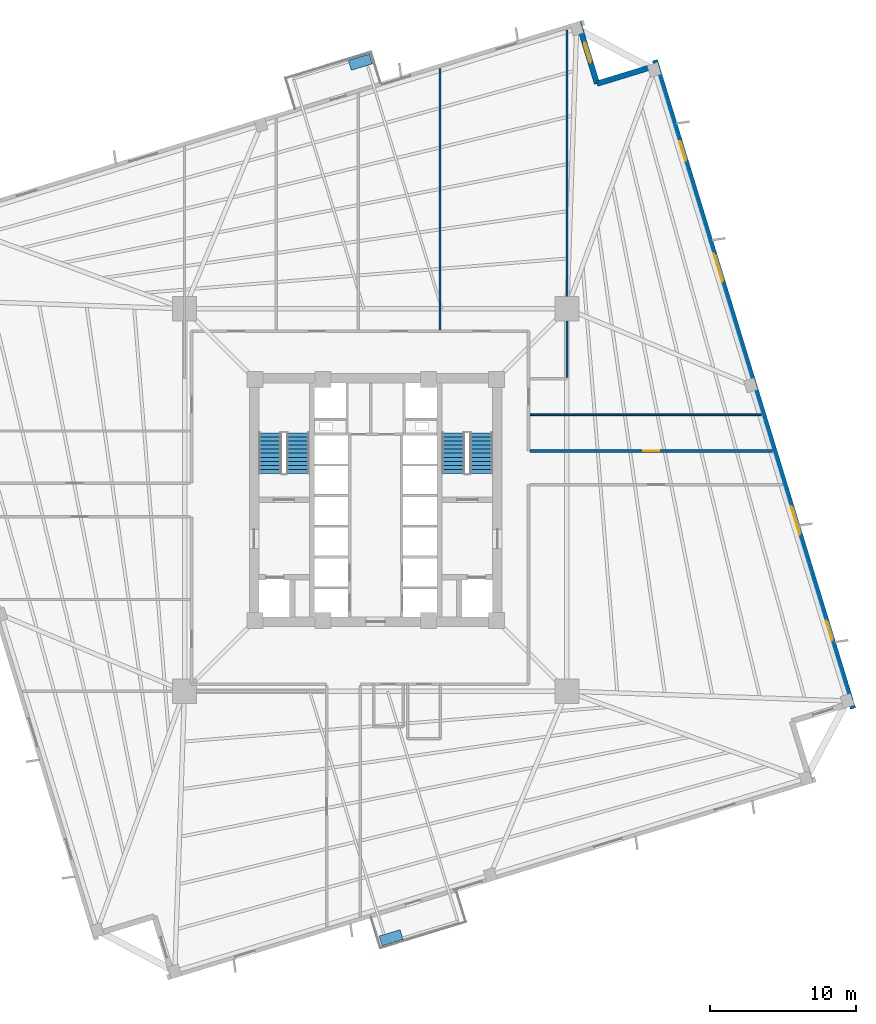
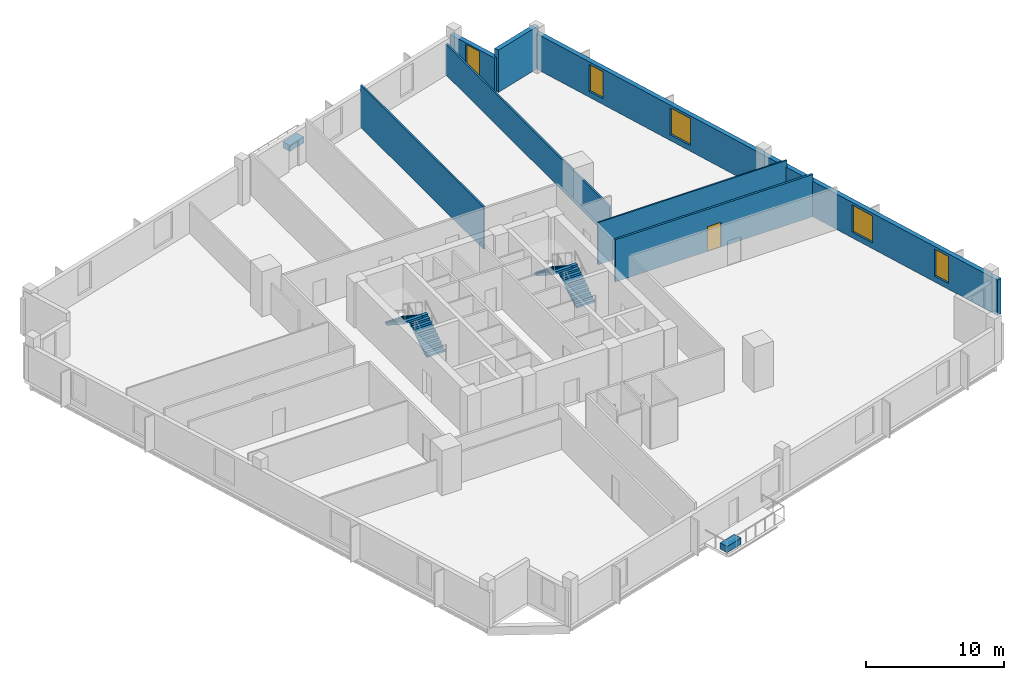
# One storey, part 5 of 8: 7 walls, 5 windows, 4 stair flights, 2 discrete accessories, 1 door, 6 openings, 2 elements without a shape of their own.
"""IFC4 building model written with IfcOpenShell, lengths in metres."""

from ifc_helpers import new_model, si_unit, direction, frame, frame_2d, origin, origin_2d, place, context, subcontext, project, spatial, polyline, rectangle, outline, extrude, source, transform, mapped, material, layer, layer_set, type_object, element, fill, aggregate, save


model = new_model("IFC4")

# Units and contexts
model_context = context("Model", 3, precision=1e-05, world=origin(), true_north=direction((0.0, 1.0)))
body_context = subcontext(model_context, "Body", "Model", "MODEL_VIEW")
ifc_project = project(units=[si_unit("LENGTHUNIT", "METRE"), si_unit("AREAUNIT", "SQUARE_METRE"), si_unit("VOLUMEUNIT", "CUBIC_METRE"), si_unit("PLANEANGLEUNIT", "RADIAN"), si_unit("MASSUNIT", "GRAM", prefix="KILO"), si_unit("THERMODYNAMICTEMPERATUREUNIT", "KELVIN")], contexts=[model_context])

# Site, building, storey
site_placement = place(None, origin())
site = spatial("IfcSite", under=ifc_project, at=site_placement, CompositionType="ELEMENT")
building_placement = place(site_placement, origin())
building = spatial("IfcBuilding", under=site, at=building_placement, Name="Kosmvard Interchange Tower", CompositionType="ELEMENT")
storey_placement = place(building_placement, frame((0.0, 0.0, 91.199951171875)))
storey = spatial("IfcBuildingStorey", under=building, at=storey_placement, Name="L21", CompositionType="ELEMENT", Elevation=91.199951171875)

# Walls
ifc_material_1 = material(Name="Acoustic gypsum partition system")
ifc_layer_1 = layer(ifc_material_1, 0.14990234375, Name="Acoustic gypsum partition system")
ifc_layer_set_1 = layer_set([ifc_layer_1], Name="Acoustic gypsum partition system")
wall_type_1 = type_object("IfcWallType", Name="Acoustic Suite & Meeting Partition 150", PredefinedType="PARTITIONING", material=ifc_layer_set_1)
wall_1_placement = place(storey_placement, frame((4.39990234375, 11.64501953125, 0.0), z_axis=(0.0, 0.0, 1.0), x_axis=(0.0, 1.0, 0.0)))
element("IfcWall", 1, at=wall_1_placement, inside=storey, type_object=wall_type_1, Name="L21 Room Partition 05.1", PredefinedType="PARTITIONING", context=body_context, shape_type="SweptSolid", body=[
    extrude(rectangle(XDim=17.865966796875, YDim=0.14990234375, at=frame_2d((8.93310546875, 0.0))), origin(), (0.0, 0.0, 1.0), 3.739990234375),
])
wall_2_placement = place(storey_placement, frame((13.0810546875, 8.375, 0.0), z_axis=(0.0, 0.0, 1.0), x_axis=(0.0, 1.0, 0.0)))
element("IfcWall", 2, at=wall_2_placement, inside=storey, type_object=wall_type_1, Name="L21 Room Partition 07.1", PredefinedType="PARTITIONING", context=body_context, shape_type="SweptSolid", body=[
    extrude(rectangle(XDim=23.7900390625, YDim=0.14990234375, at=frame_2d((11.89501953125, 0.0))), origin(), (0.0, 0.0, 1.0), 2.73193359375),
])

# Wall, opening, door
ifc_material_2 = material(Name="Fire-rated gypsum partition system")
ifc_layer_2 = layer(ifc_material_2, 0.179931640625, Name="Fire-rated gypsum partition system")
ifc_layer_set_2 = layer_set([ifc_layer_2], Name="Fire-rated gypsum partition system")
wall_type_2 = type_object("IfcWallType", Name="Corridor & Hotel Compartment Partition 180", PredefinedType="PARTITIONING", material=ifc_layer_set_2)
wall_3_placement = place(storey_placement, frame((10.550048828125, 3.35009765625, 0.0), z_axis=(0.0, 0.0, 1.0), x_axis=(1.0, 0.0, 0.0)))
wall_3 = element("IfcWall", 3, at=wall_3_placement, inside=storey, type_object=wall_type_2, Name="L21 Corridor Wall SEN", PredefinedType="PARTITIONING", context=body_context, shape_type="SweptSolid", body=[
    extrude(rectangle(XDim=16.591552734375, YDim=0.179931640625, at=frame_2d((8.2958984375, 0.0))), origin(), (0.0, 0.0, 1.0), 3.739990234375),
])
opening_1_placement = place(wall_3_placement, frame((7.745849609375, 0.0, 0.0)))
opening_1 = element("IfcOpeningElement", 4, at=opening_1_placement, cuts=wall_3, Name="Opening L21-D09", PredefinedType="OPENING", context=body_context, shape_type="SweptSolid", body=[
    extrude(rectangle(XDim=1.10009765625, YDim=2.199951171875, at=frame_2d((0.550048828125, 1.10009765625))), frame((0.0, 0.10009765625, 0.0), z_axis=(0.0, -1.0, 0.0), x_axis=(1.0, 0.0, 0.0)), (0.0, 0.0, 1.0), 0.199951171875),
])
ifc_material_3 = material(Name="Engineered oak fire-rated timber", Category="wood")
door_type = type_object("IfcDoorType", Name="Office Suite Entrance Door 1100x2200 FD30S", OperationType="NOTDEFINED", PredefinedType="DOOR", material=ifc_material_3)
shared_shape_1 = source(origin(), body_context, "Body", "SweptSolid", [
    extrude(rectangle(XDim=1.10009765625, YDim=2.199951171875, at=frame_2d((0.550048828125, 1.10009765625))), frame((0.0, 0.02490234375, 0.0), z_axis=(0.0, -1.0, 0.0), x_axis=(1.0, 0.0, 0.0)), (0.0, 0.0, 1.0), 0.050048828125),
])
door_placement = place(opening_1_placement, origin())
door = element("IfcDoor", 5, at=door_placement, inside=storey, type_object=door_type, Name="L21 Corporate Office 6 Door", OperationType="SINGLE_SWING_LEFT", OverallHeight=2.199951171875, OverallWidth=1.10009765625, PredefinedType="DOOR", context=body_context, shape_type="MappedRepresentation", body=[
    mapped(shared_shape_1, transform((0.0, 0.0, 0.0), scale=1.0)),
])
fill(opening_1, door)

# Wall, openings, windows
ifc_material_4 = material(Name="Precast concrete C45/55", Category="concrete")
ifc_layer_3 = layer(ifc_material_4, 0.3798828125, Name="Precast concrete C45/55")
ifc_layer_set_3 = layer_set([ifc_layer_3], Name="Precast concrete C45/55")
wall_type_3 = type_object("IfcWallType", Name="Lower Tower Precast Pier Wall 380 C45/55", PredefinedType="STANDARD", material=ifc_layer_set_3)
wall_4_placement = place(storey_placement, frame((32.65771484375, -14.26513671875, 0.0), z_axis=(0.0, 0.0, 1.0), x_axis=(-0.292373127906, 0.956304320851, 0.0)))
wall_4 = element("IfcWall", 6, at=wall_4_placement, inside=storey, type_object=wall_type_3, Name="L21 Precast Facade Wall F-E", PredefinedType="STANDARD", context=body_context, shape_type="SweptSolid", body=[
    extrude(rectangle(XDim=46.380126953125, YDim=0.3798828125, at=frame_2d((23.18994140625, 0.0))), origin(), (0.0, 0.0, 1.0), 3.14013671875),
])
opening_2_placement = place(wall_4_placement, frame((4.865478515625, 0.0, 0.510009765625)))
opening_2 = element("IfcOpeningElement", 7, at=opening_2_placement, cuts=wall_4, Name="Opening L21-W05", PredefinedType="OPENING", context=body_context, shape_type="SweptSolid", body=[
    extrude(rectangle(XDim=1.39990234375, YDim=2.39990234375, at=frame_2d((0.699951171875, 1.199951171875))), frame((0.0, 0.199951171875, 0.0), z_axis=(0.0, -1.0, 0.0), x_axis=(1.0, 0.0, 0.0)), (0.0, 0.0, 1.0), 0.39990234375),
])
opening_3_placement = place(wall_4_placement, frame((12.4501953125, 0.0, 0.510009765625)))
opening_3 = element("IfcOpeningElement", 8, at=opening_3_placement, cuts=wall_4, Name="Opening L21-W06", PredefinedType="OPENING", context=body_context, shape_type="SweptSolid", body=[
    extrude(rectangle(XDim=2.0, YDim=2.39990234375, at=frame_2d((1.0, 1.199951171875))), frame((0.0, 0.199951171875, 0.0), z_axis=(0.0, -1.0, 0.0), x_axis=(1.0, 0.0, 0.0)), (0.0, 0.0, 1.0), 0.39990234375),
])
opening_4_placement = place(wall_4_placement, frame((30.538330078125, 0.0, 0.510009765625)))
opening_4 = element("IfcOpeningElement", 9, at=opening_4_placement, cuts=wall_4, Name="Opening L21-W07", PredefinedType="OPENING", context=body_context, shape_type="SweptSolid", body=[
    extrude(rectangle(XDim=2.0, YDim=2.39990234375, at=frame_2d((1.0, 1.199951171875))), frame((0.0, 0.199951171875, 0.0), z_axis=(0.0, -1.0, 0.0), x_axis=(1.0, 0.0, 0.0)), (0.0, 0.0, 1.0), 0.39990234375),
])
opening_5_placement = place(wall_4_placement, frame((39.186767578125, 0.0, 0.510009765625)))
opening_5 = element("IfcOpeningElement", 10, at=opening_5_placement, cuts=wall_4, Name="Opening L21-W08", PredefinedType="OPENING", context=body_context, shape_type="SweptSolid", body=[
    extrude(rectangle(XDim=1.39990234375, YDim=2.39990234375, at=frame_2d((0.699951171875, 1.199951171875))), frame((0.0, 0.199951171875, 0.0), z_axis=(0.0, -1.0, 0.0), x_axis=(1.0, 0.0, 0.0)), (0.0, 0.0, 1.0), 0.39990234375),
])
ifc_material_5 = material(Name="Low-E solar-control double glazing", Category="glass")
window_type_1 = type_object("IfcWindowType", Name="Notched Corner Feature Window 1400x2400", PartitioningType="SINGLE_PANEL", PredefinedType="WINDOW", material=ifc_material_5)
shared_shape_2 = source(origin(), body_context, "Body", "SweptSolid", [
    extrude(rectangle(XDim=1.39990234375, YDim=2.39990234375, at=frame_2d((0.699951171875, 1.199951171875))), frame((0.0, 0.030029296875, 0.0), z_axis=(0.0, -1.0, 0.0), x_axis=(1.0, 0.0, 0.0)), (0.0, 0.0, 1.0), 0.06005859375),
])
window_1_placement = place(opening_2_placement, origin())
window_1 = element("IfcWindow", 11, at=window_1_placement, inside=storey, type_object=window_type_1, Name="L21 Facade Punched Window 05", OverallHeight=2.39990234375, OverallWidth=1.39990234375, PartitioningType="SINGLE_PANEL", PredefinedType="WINDOW", context=body_context, shape_type="MappedRepresentation", body=[
    mapped(shared_shape_2, transform((0.0, 0.0, 0.0), scale=1.0)),
])
fill(opening_2, window_1)
window_2_placement = place(opening_5_placement, origin())
window_2 = element("IfcWindow", 12, at=window_2_placement, inside=storey, type_object=window_type_1, Name="L21 Facade Punched Window 08", OverallHeight=2.39990234375, OverallWidth=1.39990234375, PartitioningType="SINGLE_PANEL", PredefinedType="WINDOW", context=body_context, shape_type="MappedRepresentation", body=[
    mapped(shared_shape_2, transform((0.0, 0.0, 0.0), scale=1.0)),
])
fill(opening_5, window_2)
window_type_2 = type_object("IfcWindowType", Name="Zone 2 Office Punched Window 2000x2400", PartitioningType="SINGLE_PANEL", PredefinedType="WINDOW", material=ifc_material_5)
shared_shape_3 = source(origin(), body_context, "Body", "SweptSolid", [
    extrude(rectangle(XDim=2.0, YDim=2.39990234375, at=frame_2d((1.0, 1.199951171875))), frame((0.0, 0.030029296875, 0.0), z_axis=(0.0, -1.0, 0.0), x_axis=(1.0, 0.0, 0.0)), (0.0, 0.0, 1.0), 0.06005859375),
])
window_3_placement = place(opening_3_placement, origin())
window_3 = element("IfcWindow", 13, at=window_3_placement, inside=storey, type_object=window_type_2, Name="L21 Facade Punched Window 06", OverallHeight=2.39990234375, OverallWidth=2.0, PartitioningType="SINGLE_PANEL", PredefinedType="WINDOW", context=body_context, shape_type="MappedRepresentation", body=[
    mapped(shared_shape_3, transform((0.0, 0.0, 0.0), scale=1.0)),
])
fill(opening_3, window_3)
window_4_placement = place(opening_4_placement, origin())
window_4 = element("IfcWindow", 14, at=window_4_placement, inside=storey, type_object=window_type_2, Name="L21 Facade Punched Window 07", OverallHeight=2.39990234375, OverallWidth=2.0, PartitioningType="SINGLE_PANEL", PredefinedType="WINDOW", context=body_context, shape_type="MappedRepresentation", body=[
    mapped(shared_shape_3, transform((0.0, 0.0, 0.0), scale=1.0)),
])
fill(opening_4, window_4)

# Wall
wall_5_placement = place(storey_placement, frame((19.20849609375, 29.724853515625, 0.0), z_axis=(0.0, 0.0, 1.0), x_axis=(-0.956312764915, -0.292345507338, 0.0)))
element("IfcWall", 15, at=wall_5_placement, inside=storey, type_object=wall_type_3, Name="L21 Precast Facade Wall N-NE1", PredefinedType="STANDARD", context=body_context, shape_type="SweptSolid", body=[
    extrude(rectangle(XDim=4.249755859375, YDim=0.3798828125, at=frame_2d((2.125, 0.0))), origin(), (0.0, 0.0, 1.0), 3.739990234375),
])

# Wall, opening, window
wall_6_placement = place(storey_placement, frame((15.144287109375, 28.482421875, 0.0), z_axis=(0.0, 0.0, 1.0), x_axis=(-0.292373601522, 0.956304176051, 0.0)))
wall_6 = element("IfcWall", 16, at=wall_6_placement, inside=storey, type_object=wall_type_3, Name="L21 Precast Facade Wall N-NE2", PredefinedType="STANDARD", context=body_context, shape_type="SweptSolid", body=[
    extrude(rectangle(XDim=4.43994140625, YDim=0.3798828125, at=frame_2d((2.219970703125, 0.0))), origin(), (0.0, 0.0, 1.0), 3.0400390625),
])
opening_6_placement = place(wall_6_placement, frame((1.52001953125, 0.0, 0.510009765625)))
opening_6 = element("IfcOpeningElement", 17, at=opening_6_placement, cuts=wall_6, Name="Opening L21-W19", PredefinedType="OPENING", context=body_context, shape_type="SweptSolid", body=[
    extrude(rectangle(XDim=1.39990234375, YDim=2.39990234375, at=frame_2d((0.699951171875, 1.199951171875))), frame((0.0, 0.199951171875, 0.0), z_axis=(0.0, -1.0, 0.0), x_axis=(1.0, 0.0, 0.0)), (0.0, 0.0, 1.0), 0.39990234375),
])
window_5_placement = place(opening_6_placement, origin())
window_5 = element("IfcWindow", 18, at=window_5_placement, inside=storey, type_object=window_type_1, Name="L21 Corner Notch Window 19", OverallHeight=2.39990234375, OverallWidth=1.39990234375, PartitioningType="SINGLE_PANEL", PredefinedType="WINDOW", context=body_context, shape_type="MappedRepresentation", body=[
    mapped(shared_shape_2, transform((0.0, 0.0, 0.0), scale=1.0)),
])
fill(opening_6, window_5)

# Wall
ifc_material_6 = material(Name="Gypsum board partition system")
ifc_layer_4 = layer(ifc_material_6, 0.1201171875, Name="Gypsum board partition system")
ifc_layer_set_4 = layer_set([ifc_layer_4], Name="Gypsum board partition system")
wall_type_4 = type_object("IfcWallType", Name="Office Cellular Partition 120", PredefinedType="PARTITIONING", material=ifc_layer_set_4)
wall_7_placement = place(storey_placement, frame((10.544921875, 5.824951171875, 0.0), z_axis=(0.0, 0.0, 1.0), x_axis=(1.0, 0.0, 0.0)))
element("IfcWall", 19, at=wall_7_placement, inside=storey, type_object=wall_type_4, Name="L21 Room Partition 09.1", PredefinedType="PARTITIONING", context=body_context, shape_type="SweptSolid", body=[
    extrude(rectangle(XDim=15.83984375, YDim=0.1201171875, at=frame_2d((7.919921875, 0.0))), origin(), (0.0, 0.0, 1.0), 3.739990234375),
])

# Stair, stair flights
ifc_material_7 = material(Name="Concrete C50/60", Category="concrete")
stair_type = type_object("IfcStairType", Name="Dog-Leg Core Exit Stair H4000 C50/60", PredefinedType="HALF_TURN_STAIR", material=ifc_material_7)
stair_1_placement = place(storey_placement, origin())
stair_1 = element("IfcStair", 20, at=stair_1_placement, inside=storey, type_object=stair_type, Name="L21 Protected Exit Stair ST-1", PredefinedType="HALF_TURN_STAIR")
stair_flight_type = type_object("IfcStairFlightType", Name="Core Stair Flight W1550 H4000 C50/60", PredefinedType="STRAIGHT", material=ifc_material_7)
shared_shape_4 = source(origin(), body_context, "Body", "SweptSolid", [
    extrude(outline(polyline([(0.0, 0.0), (0.0, 0.181884765625), (0.280029296875, 0.181884765625), (0.280029296875, 0.363525390625), (0.56005859375, 0.363525390625), (0.56005859375, 0.54541015625), (0.840087890625, 0.54541015625), (0.840087890625, 0.727294921875), (1.1201171875, 0.727294921875), (1.1201171875, 0.9091796875), (1.39990234375, 0.9091796875), (1.39990234375, 1.0908203125), (1.679931640625, 1.0908203125), (1.679931640625, 1.272705078125), (1.9599609375, 1.272705078125), (1.9599609375, 1.45458984375), (2.239990234375, 1.45458984375), (2.239990234375, 1.636474609375), (2.52001953125, 1.636474609375), (2.52001953125, 1.818115234375), (2.800048828125, 1.818115234375), (2.800048828125, 2.0), (2.800048828125, 1.62744140625), (0.293701171875, 0.0), (0.0, 0.0)])), frame((0.0, 0.77490234375, 0.0), z_axis=(0.0, -1.0, 0.0), x_axis=(1.0, 0.0, 0.0)), (0.0, 0.0, 1.0), 1.550048828125),
])
stair_flight_1_placement = place(storey_placement, frame((-5.31494140625, 1.800048828125, 0.0), z_axis=(0.0, 0.0, 1.0), x_axis=(0.0, 1.0, 0.0)))
stair_flight_1 = element("IfcStairFlight", 21, at=stair_flight_1_placement, type_object=stair_flight_type, Name="ST-1 flight 1", NumberOfRisers=11, NumberOfTreads=10, PredefinedType="STRAIGHT", RiserHeight=0.181818182, TreadLength=0.28, context=body_context, shape_type="MappedRepresentation", body=[
    mapped(shared_shape_4, transform((0.0, 0.0, 0.0), scale=1.0)),
])
stair_flight_2_placement = place(storey_placement, frame((-7.22509765625, 4.60009765625, 2.0), z_axis=(0.0, 0.0, 1.0), x_axis=(0.0, -1.0, 0.0)))
stair_flight_2 = element("IfcStairFlight", 22, at=stair_flight_2_placement, type_object=stair_flight_type, Name="ST-1 flight 2", NumberOfRisers=11, NumberOfTreads=10, PredefinedType="STRAIGHT", RiserHeight=0.181818182, TreadLength=0.28, context=body_context, shape_type="MappedRepresentation", body=[
    mapped(shared_shape_4, transform((0.0, 0.0, 0.0), scale=1.0)),
])
aggregate(stair_1, [stair_flight_1, stair_flight_2])

stair_2_placement = place(storey_placement, origin())
stair_2 = element("IfcStair", 23, at=stair_2_placement, inside=storey, type_object=stair_type, Name="L21 Protected Exit Stair ST-2", PredefinedType="HALF_TURN_STAIR")
stair_flight_3_placement = place(storey_placement, frame((7.22509765625, 1.800048828125, 0.0), z_axis=(0.0, 0.0, 1.0), x_axis=(0.0, 1.0, 0.0)))
stair_flight_3 = element("IfcStairFlight", 24, at=stair_flight_3_placement, type_object=stair_flight_type, Name="ST-2 flight 1", NumberOfRisers=11, NumberOfTreads=10, PredefinedType="STRAIGHT", RiserHeight=0.181818182, TreadLength=0.28, context=body_context, shape_type="MappedRepresentation", body=[
    mapped(shared_shape_4, transform((0.0, 0.0, 0.0), scale=1.0)),
])
stair_flight_4_placement = place(storey_placement, frame((5.31494140625, 4.60009765625, 2.0), z_axis=(0.0, 0.0, 1.0), x_axis=(0.0, -1.0, 0.0)))
stair_flight_4 = element("IfcStairFlight", 25, at=stair_flight_4_placement, type_object=stair_flight_type, Name="ST-2 flight 2", NumberOfRisers=11, NumberOfTreads=10, PredefinedType="STRAIGHT", RiserHeight=0.181818182, TreadLength=0.28, context=body_context, shape_type="MappedRepresentation", body=[
    mapped(shared_shape_4, transform((0.0, 0.0, 0.0), scale=1.0)),
])
aggregate(stair_2, [stair_flight_3, stair_flight_4])

# Discrete accessories
ifc_material_8 = material(Name="Terracotta precast planter concrete C45/55", Category="masonry")
discrete_accessory_type = type_object("IfcDiscreteAccessoryType", Name="Precast Tree-Balcony & Terrace Planter Box", PredefinedType="USERDEFINED", material=ifc_material_8)
shared_shape_5 = source(origin(), body_context, "Body", "SweptSolid", [
    extrude(rectangle(XDim=1.5, YDim=0.699951171875, at=origin_2d()), origin(), (0.0, 0.0, 1.0), 0.550048828125),
])
for number, where, z_axis, x_axis, name in (
    (26, (1.052734375, -29.950927734375, 0.0), (0.0, 0.0, 1.0), (0.956304755963, 0.292371704723, 0.0), "L21 Balcony Tree Planter BAL-L21-S"),
    (27, (-1.052734375, 29.950927734375, 0.0), (0.0, 0.0, 1.0), (0.956304755963, 0.292371704723, 0.0), "L21 Balcony Tree Planter BAL-L21-N"),
):
    element("IfcDiscreteAccessory", number, at=place(storey_placement, frame(where, z_axis=z_axis, x_axis=x_axis)), inside=storey, type_object=discrete_accessory_type, Name=name, ObjectType="PLANTER", PredefinedType="USERDEFINED", context=body_context, shape_type="MappedRepresentation", body=[
        mapped(shared_shape_5, transform((0.0, 0.0, 0.0), scale=1.0)),
    ])

save(model, "model.ifc")
